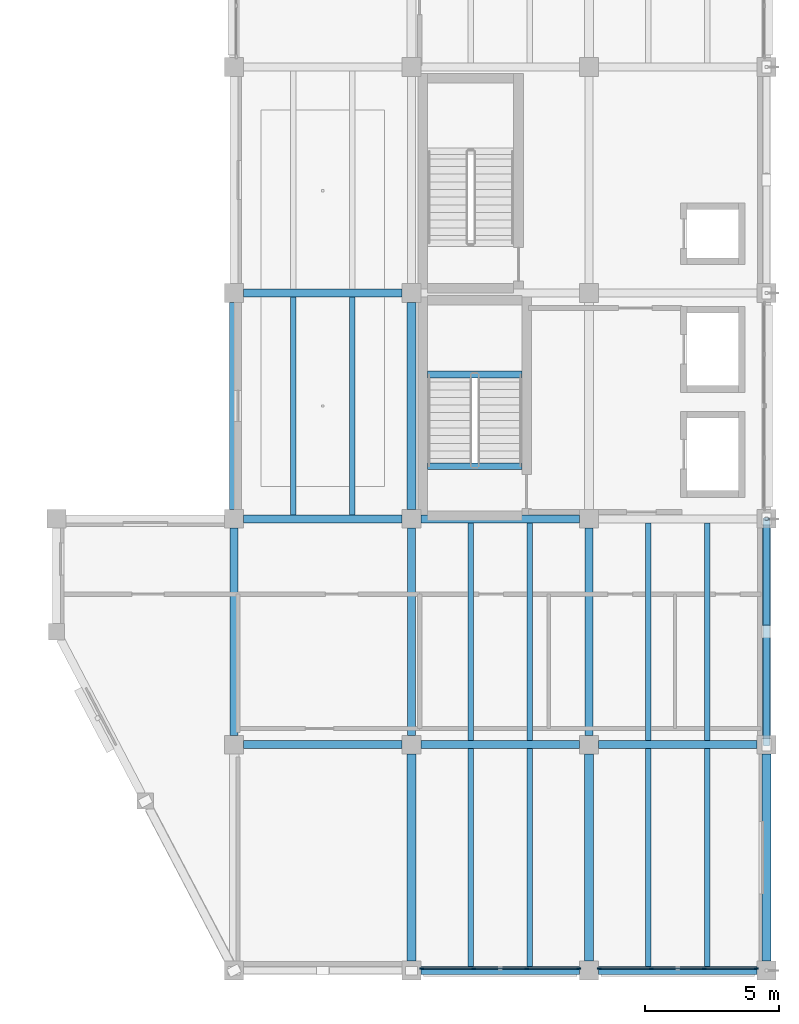
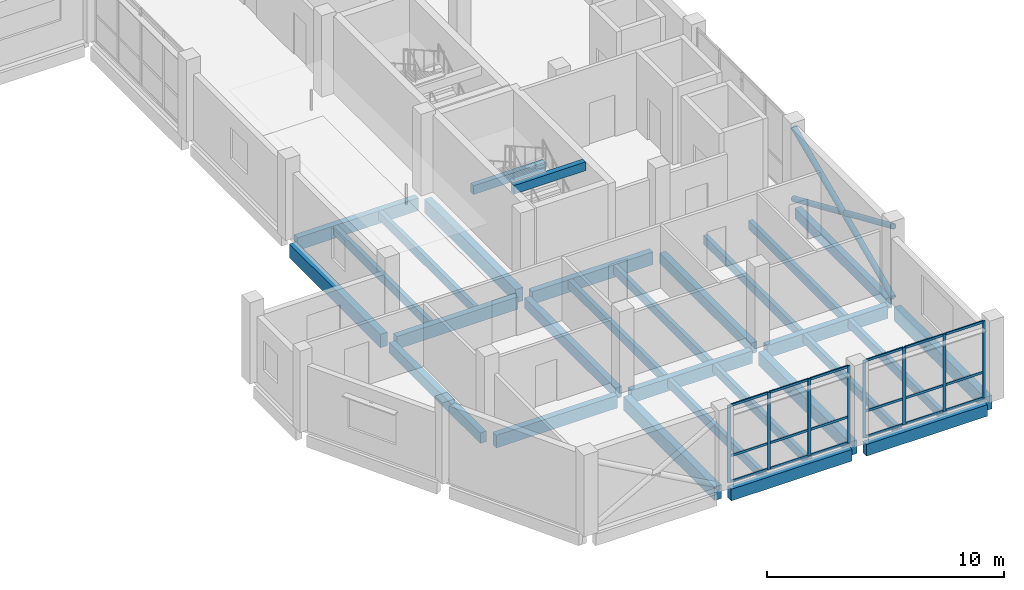
# One storey, part 2 of 19: 29 beams, 29 members, 2 elements without a shape of their own.
"""IFC4 building model written with IfcOpenShell, lengths in metres."""

from ifc_helpers import new_model, si_unit, direction, frame, origin, origin_2d, place, context, subcontext, project, spatial, rectangle, hollow_circle, extrude, material, material_profile, profile_set, type_object, element, aggregate, save


model = new_model("IFC4")

# Units and contexts
model_context = context("Model", 3, precision=1e-05, world=origin(), true_north=direction((0.0, 1.0)))
body_context = subcontext(model_context, "Body", "Model", "MODEL_VIEW")
ifc_project = project(units=[si_unit("LENGTHUNIT", "METRE"), si_unit("AREAUNIT", "SQUARE_METRE"), si_unit("VOLUMEUNIT", "CUBIC_METRE"), si_unit("PLANEANGLEUNIT", "RADIAN"), si_unit("MASSUNIT", "GRAM", prefix="KILO")], contexts=[model_context])

# Site, building, storey
site_placement = place(None, origin())
site = spatial("IfcSite", under=ifc_project, at=site_placement, CompositionType="ELEMENT")
building_placement = place(site_placement, origin())
building = spatial("IfcBuilding", under=site, at=building_placement, Name="Qaldarim Faculty of Natural and Applied Sciences", CompositionType="ELEMENT")
storey_placement = place(building_placement, frame((0.0, 0.0, 27.0)))
storey = spatial("IfcBuildingStorey", under=building, at=storey_placement, Name="L06", CompositionType="ELEMENT", Elevation=27.0)

# Beams
ifc_material_1 = material(Name="Concrete C40/50", Category="concrete")
ifc_material_profile_1 = material_profile(ifc_material_1, rectangle(XDim=0.300048828125, YDim=0.550048828125, at=origin_2d()), Name="RC-B300x550")
ifc_profile_set_1 = profile_set([ifc_material_profile_1], Name="Concrete C40/50")
beam_type_1 = type_object("IfcBeamType", Name="FloorBeam-RC300x550", PredefinedType="BEAM", material=ifc_profile_set_1)
for number, where, z_axis, x_axis, name in (
    (1, (158.39990234375, 8.75, -0.4951171875), (0.0, 1.0, 0.0), (-1.0, 0.0, 0.0), "Beam RC-B300x550 L05 X25/Y02-Y03"),
    (2, (165.0, 8.75, -0.4951171875), (0.0, 1.0, 0.0), (-1.0, 0.0, 0.0), "Beam RC-B300x550 L05 X26/Y02-Y03"),
    (3, (171.60009765625, 8.75, -0.4951171875), (0.0, 1.0, 0.0), (-1.0, 0.0, 0.0), "Beam RC-B300x550 L05 X27/Y02-Y03"),
    (4, (178.199951171875, 8.75, -0.4951171875), (0.0, 1.0, 0.0), (-1.0, 0.0, 0.0), "Beam RC-B300x550 L05 X28/Y02-Y03"),
):
    element("IfcBeam", number, at=place(storey_placement, frame(where, z_axis=z_axis, x_axis=x_axis)), inside=storey, type_object=beam_type_1, Name=name, PredefinedType="BEAM", context=body_context, shape_type="SweptSolid", body=[
        extrude(rectangle(XDim=0.300048828125, YDim=0.550048828125, at=origin_2d()), origin(), (0.0, 0.0, 1.0), 7.699951171875),
    ])
ifc_material_profile_2 = material_profile(ifc_material_1, rectangle(XDim=0.199951171875, YDim=0.449951171875, at=origin_2d()), Name="RC-J200x450")
ifc_profile_set_2 = profile_set([ifc_material_profile_2], Name="Concrete C40/50")
beam_type_2 = type_object("IfcBeamType", Name="LabJoist-RC200x450", PredefinedType="JOIST", material=ifc_profile_set_2)
for number, where, z_axis, x_axis, name in (
    (5, (160.60009765625, 16.949951171875, -0.445068359375), (0.0, 1.0, 0.0), (-1.0, 0.0, 0.0), "Laboratory joist L05 bay X25Y03-1"),
    (6, (162.800048828125, 16.949951171875, -0.445068359375), (0.0, 1.0, 0.0), (-1.0, 0.0, 0.0), "Laboratory joist L05 bay X25Y03-2"),
    (7, (167.199951171875, 0.14990234375, -0.445068359375), (0.0, 1.0, 0.0), (-1.0, 0.0, 0.0), "Laboratory joist L05 bay X26Y01-1"),
    (8, (169.39990234375, 0.14990234375, -0.445068359375), (0.0, 1.0, 0.0), (-1.0, 0.0, 0.0), "Laboratory joist L05 bay X26Y01-2"),
):
    element("IfcBeam", number, at=place(storey_placement, frame(where, z_axis=z_axis, x_axis=x_axis)), inside=storey, type_object=beam_type_2, Name=name, PredefinedType="JOIST", context=body_context, shape_type="SweptSolid", body=[
        extrude(rectangle(XDim=0.199951171875, YDim=0.449951171875, at=origin_2d()), origin(), (0.0, 0.0, 1.0), 8.10009765625),
    ])
for number, where, z_axis, x_axis, name in (
    (9, (167.199951171875, 8.550048828125, -0.445068359375), (0.0, 1.0, 0.0), (-1.0, 0.0, 0.0), "Laboratory joist L05 bay X26Y02-1"),
    (10, (169.39990234375, 8.550048828125, -0.445068359375), (0.0, 1.0, 0.0), (-1.0, 0.0, 0.0), "Laboratory joist L05 bay X26Y02-2"),
):
    element("IfcBeam", number, at=place(storey_placement, frame(where, z_axis=z_axis, x_axis=x_axis)), inside=storey, type_object=beam_type_2, Name=name, PredefinedType="JOIST", context=body_context, shape_type="SweptSolid", body=[
        extrude(rectangle(XDim=0.199951171875, YDim=0.449951171875, at=origin_2d()), origin(), (0.0, 0.0, 1.0), 8.099853515625),
    ])
for number, where, z_axis, x_axis, name in (
    (11, (173.800048828125, 0.14990234375, -0.445068359375), (0.0, 1.0, 0.0), (-1.0, 0.0, 0.0), "Laboratory joist L05 bay X27Y01-1"),
    (12, (176.0, 0.14990234375, -0.445068359375), (0.0, 1.0, 0.0), (-1.0, 0.0, 0.0), "Laboratory joist L05 bay X27Y01-2"),
):
    element("IfcBeam", number, at=place(storey_placement, frame(where, z_axis=z_axis, x_axis=x_axis)), inside=storey, type_object=beam_type_2, Name=name, PredefinedType="JOIST", context=body_context, shape_type="SweptSolid", body=[
        extrude(rectangle(XDim=0.199951171875, YDim=0.449951171875, at=origin_2d()), origin(), (0.0, 0.0, 1.0), 8.10009765625),
    ])
for number, where, z_axis, x_axis, name in (
    (13, (173.800048828125, 8.550048828125, -0.445068359375), (0.0, 1.0, 0.0), (-1.0, 0.0, 0.0), "Laboratory joist L05 bay X27Y02-1"),
    (14, (176.0, 8.550048828125, -0.445068359375), (0.0, 1.0, 0.0), (-1.0, 0.0, 0.0), "Laboratory joist L05 bay X27Y02-2"),
):
    element("IfcBeam", number, at=place(storey_placement, frame(where, z_axis=z_axis, x_axis=x_axis)), inside=storey, type_object=beam_type_2, Name=name, PredefinedType="JOIST", context=body_context, shape_type="SweptSolid", body=[
        extrude(rectangle(XDim=0.199951171875, YDim=0.449951171875, at=origin_2d()), origin(), (0.0, 0.0, 1.0), 8.099853515625),
    ])
ifc_material_profile_3 = material_profile(ifc_material_1, rectangle(XDim=0.25, YDim=0.449951171875, at=origin_2d()), Name="RC-LN250x450")
ifc_profile_set_3 = profile_set([ifc_material_profile_3], Name="Concrete C40/50")
beam_type_3 = type_object("IfcBeamType", Name="LandingSupportBeam-RC250x450", PredefinedType="BEAM", material=ifc_profile_set_3)
for number, where, z_axis, x_axis, name in (
    (15, (165.60009765625, 22.169921875, 1.6650390625), (1.0, 0.0, 0.0), (0.0, 1.0, 0.0), "Stair landing support beam ST-A1 L06"),
    (16, (165.60009765625, 18.75, 3.7548828125), (1.0, 0.0, 0.0), (0.0, 1.0, 0.0), "Stair arrival support beam ST-A1 L06"),
):
    element("IfcBeam", number, at=place(storey_placement, frame(where, z_axis=z_axis, x_axis=x_axis)), inside=storey, type_object=beam_type_3, Name=name, PredefinedType="BEAM", context=body_context, shape_type="SweptSolid", body=[
        extrude(rectangle(XDim=0.25, YDim=0.449951171875, at=origin_2d()), origin(), (0.0, 0.0, 1.0), 3.5),
    ])

# Curtain wall, members
ifc_material_2 = material(Name="Anodised aluminium AW-6063", Category="aluminium")
curtain_wall_type = type_object("IfcCurtainWallType", Name="CurtainWallSystem-M1800", PredefinedType="USERDEFINED", material=ifc_material_2)
curtain_wall_1_placement = place(storey_placement, origin())
curtain_wall_1 = element("IfcCurtainWall", 17, at=curtain_wall_1_placement, inside=storey, type_object=curtain_wall_type, Name="Curtain wall CW-L06-S-X26Y01", ObjectType="UNITISED FACADE", PredefinedType="USERDEFINED")
ifc_material_profile_4 = material_profile(ifc_material_2, rectangle(XDim=0.06005859375, YDim=0.14990234375, at=origin_2d()), Name="ALU-M60x150")
ifc_profile_set_4 = profile_set([ifc_material_profile_4], Name="Anodised aluminium AW-6063")
member_type_1 = type_object("IfcMemberType", Name="Mullion-ALU60x150", PredefinedType="MULLION", material=ifc_profile_set_4)
member_1_placement = place(storey_placement, frame((165.375, 0.080078125, 0.0), z_axis=(0.0, 0.0, 1.0), x_axis=(0.0, 1.0, 0.0)))
member_1 = element("IfcMember", 18, at=member_1_placement, type_object=member_type_1, Name="Mullion 1 of CW-L06-S-X26Y01", PredefinedType="MULLION", context=body_context, shape_type="SweptSolid", body=[
    extrude(rectangle(XDim=0.06005859375, YDim=0.14990234375, at=origin_2d()), origin(), (0.0, 0.0, 1.0), 3.97998046875),
])
member_2_placement = place(storey_placement, frame((167.31494140625, 0.080078125, 0.0), z_axis=(0.0, 0.0, 1.0), x_axis=(0.0, 1.0, 0.0)))
member_2 = element("IfcMember", 19, at=member_2_placement, type_object=member_type_1, Name="Mullion 2 of CW-L06-S-X26Y01", PredefinedType="MULLION", context=body_context, shape_type="SweptSolid", body=[
    extrude(rectangle(XDim=0.06005859375, YDim=0.14990234375, at=origin_2d()), origin(), (0.0, 0.0, 1.0), 3.97998046875),
])
member_3_placement = place(storey_placement, frame((169.284912109375, 0.080078125, 0.0), z_axis=(0.0, 0.0, 1.0), x_axis=(0.0, 1.0, 0.0)))
member_3 = element("IfcMember", 20, at=member_3_placement, type_object=member_type_1, Name="Mullion 3 of CW-L06-S-X26Y01", PredefinedType="MULLION", context=body_context, shape_type="SweptSolid", body=[
    extrude(rectangle(XDim=0.06005859375, YDim=0.14990234375, at=origin_2d()), origin(), (0.0, 0.0, 1.0), 3.97998046875),
])
member_4_placement = place(storey_placement, frame((171.22509765625, 0.080078125, 0.0), z_axis=(0.0, 0.0, 1.0), x_axis=(0.0, 1.0, 0.0)))
member_4 = element("IfcMember", 21, at=member_4_placement, type_object=member_type_1, Name="Mullion 4 of CW-L06-S-X26Y01", PredefinedType="MULLION", context=body_context, shape_type="SweptSolid", body=[
    extrude(rectangle(XDim=0.06005859375, YDim=0.14990234375, at=origin_2d()), origin(), (0.0, 0.0, 1.0), 3.97998046875),
])

curtain_wall_2_placement = place(storey_placement, origin())
curtain_wall_2 = element("IfcCurtainWall", 22, at=curtain_wall_2_placement, inside=storey, type_object=curtain_wall_type, Name="Curtain wall CW-L06-S-X27Y01", ObjectType="UNITISED FACADE", PredefinedType="USERDEFINED")
member_5_placement = place(storey_placement, frame((171.97509765625, 0.080078125, 0.0), z_axis=(0.0, 0.0, 1.0), x_axis=(0.0, 1.0, 0.0)))
member_5 = element("IfcMember", 23, at=member_5_placement, type_object=member_type_1, Name="Mullion 1 of CW-L06-S-X27Y01", PredefinedType="MULLION", context=body_context, shape_type="SweptSolid", body=[
    extrude(rectangle(XDim=0.06005859375, YDim=0.14990234375, at=origin_2d()), origin(), (0.0, 0.0, 1.0), 3.97998046875),
])
member_6_placement = place(storey_placement, frame((173.9150390625, 0.080078125, 0.0), z_axis=(0.0, 0.0, 1.0), x_axis=(0.0, 1.0, 0.0)))
member_6 = element("IfcMember", 24, at=member_6_placement, type_object=member_type_1, Name="Mullion 2 of CW-L06-S-X27Y01", PredefinedType="MULLION", context=body_context, shape_type="SweptSolid", body=[
    extrude(rectangle(XDim=0.06005859375, YDim=0.14990234375, at=origin_2d()), origin(), (0.0, 0.0, 1.0), 3.97998046875),
])
member_7_placement = place(storey_placement, frame((175.885009765625, 0.080078125, 0.0), z_axis=(0.0, 0.0, 1.0), x_axis=(0.0, 1.0, 0.0)))
member_7 = element("IfcMember", 25, at=member_7_placement, type_object=member_type_1, Name="Mullion 3 of CW-L06-S-X27Y01", PredefinedType="MULLION", context=body_context, shape_type="SweptSolid", body=[
    extrude(rectangle(XDim=0.06005859375, YDim=0.14990234375, at=origin_2d()), origin(), (0.0, 0.0, 1.0), 3.97998046875),
])
member_8_placement = place(storey_placement, frame((177.824951171875, 0.080078125, 0.0), z_axis=(0.0, 0.0, 1.0), x_axis=(0.0, 1.0, 0.0)))
member_8 = element("IfcMember", 26, at=member_8_placement, type_object=member_type_1, Name="Mullion 4 of CW-L06-S-X27Y01", PredefinedType="MULLION", context=body_context, shape_type="SweptSolid", body=[
    extrude(rectangle(XDim=0.06005859375, YDim=0.14990234375, at=origin_2d()), origin(), (0.0, 0.0, 1.0), 3.97998046875),
])

# Members
ifc_material_3 = material(Name="Structural steel S355", Category="steel")
ifc_material_profile_5 = material_profile(ifc_material_3, hollow_circle(Radius=0.136474609375, WallThickness=0.01611328125, at=origin_2d()), Name="CHS 273.0x16.0")
ifc_profile_set_5 = profile_set([ifc_material_profile_5], Name="Structural steel S355")
member_type_2 = type_object("IfcMemberType", Name="PortalBrace-CHS273x16", PredefinedType="BRACE", material=ifc_profile_set_5)
member_9_placement = place(storey_placement, frame((178.199951171875, 8.39990234375, 0.0), z_axis=(0.0, 0.915962323067, 0.401264280396), x_axis=(-1.0, 0.0, 0.0)))
element("IfcMember", 27, at=member_9_placement, inside=storey, type_object=member_type_2, Name="East diagrid L06 primary brace L", PredefinedType="BRACE", context=body_context, shape_type="SweptSolid", body=[
    extrude(hollow_circle(Radius=0.136474609375, WallThickness=0.01611328125, at=origin_2d()), origin(), (0.0, 0.0, 1.0), 9.1708984375),
])
for number, where, z_axis, x_axis, name in (
    (28, (178.199951171875, 16.800048828125, 0.0), (0.0, -0.916157334902, 0.40081883402), (1.0, 0.0, 0.0), "East diagrid L06 split secondary lower brace R1"),
    (29, (178.199951171875, 12.39990234375, 1.929931640625), (0.0, -0.916157334902, 0.40081883402), (1.0, 0.0, 0.0), "East diagrid L06 split secondary upper brace R2"),
):
    element("IfcMember", number, at=place(storey_placement, frame(where, z_axis=z_axis, x_axis=x_axis)), inside=storey, type_object=member_type_2, Name=name, PredefinedType="BRACE", context=body_context, shape_type="SweptSolid", body=[
        extrude(hollow_circle(Radius=0.136474609375, WallThickness=0.01611328125, at=origin_2d()), origin(), (0.0, 0.0, 1.0), 4.365966796875),
    ])

# Beams
ifc_material_profile_6 = material_profile(ifc_material_1, rectangle(XDim=0.300048828125, YDim=0.64990234375, at=origin_2d()), Name="RC-B300x650")
ifc_profile_set_6 = profile_set([ifc_material_profile_6], Name="Concrete C40/50")
beam_type_4 = type_object("IfcBeamType", Name="PrimaryBeam-RC300x650", PredefinedType="BEAM", material=ifc_profile_set_6)
for number, where, z_axis, x_axis, name in (
    (30, (158.75, 8.39990234375, -0.544921875), (1.0, 0.0, 0.0), (0.0, 1.0, 0.0), "Beam RC-B300x650 L05 X25-X26/Y02"),
    (31, (165.35009765625, 8.39990234375, -0.544921875), (1.0, 0.0, 0.0), (0.0, 1.0, 0.0), "Beam RC-B300x650 L05 X26-X27/Y02"),
):
    element("IfcBeam", number, at=place(storey_placement, frame(where, z_axis=z_axis, x_axis=x_axis)), inside=storey, type_object=beam_type_4, Name=name, PredefinedType="BEAM", context=body_context, shape_type="SweptSolid", body=[
        extrude(rectangle(XDim=0.300048828125, YDim=0.64990234375, at=origin_2d()), origin(), (0.0, 0.0, 1.0), 5.89990234375),
    ])
beam_1_placement = place(storey_placement, frame((171.949951171875, 8.39990234375, -0.544921875), z_axis=(1.0, 0.0, 0.0), x_axis=(0.0, 1.0, 0.0)))
element("IfcBeam", 32, at=beam_1_placement, inside=storey, type_object=beam_type_4, Name="Beam RC-B300x650 L05 X27-X28/Y02", PredefinedType="BEAM", context=body_context, shape_type="SweptSolid", body=[
    extrude(rectangle(XDim=0.300048828125, YDim=0.64990234375, at=origin_2d()), origin(), (0.0, 0.0, 1.0), 5.900146484375),
])
for number, where, z_axis, x_axis, name in (
    (33, (158.75, 16.800048828125, -0.544921875), (1.0, 0.0, 0.0), (0.0, 1.0, 0.0), "Beam RC-B300x650 L05 X25-X26/Y03"),
    (34, (165.35009765625, 16.800048828125, -0.544921875), (1.0, 0.0, 0.0), (0.0, 1.0, 0.0), "Beam RC-B300x650 L05 X26-X27/Y03"),
    (35, (158.75, 25.199951171875, -0.544921875), (1.0, 0.0, 0.0), (0.0, 1.0, 0.0), "Beam RC-B300x650 L05 X25-X26/Y04"),
):
    element("IfcBeam", number, at=place(storey_placement, frame(where, z_axis=z_axis, x_axis=x_axis)), inside=storey, type_object=beam_type_4, Name=name, PredefinedType="BEAM", context=body_context, shape_type="SweptSolid", body=[
        extrude(rectangle(XDim=0.300048828125, YDim=0.64990234375, at=origin_2d()), origin(), (0.0, 0.0, 1.0), 5.89990234375),
    ])
ifc_material_profile_7 = material_profile(ifc_material_1, rectangle(XDim=0.35009765625, YDim=0.699951171875, at=origin_2d()), Name="RC-B350x700")
ifc_profile_set_7 = profile_set([ifc_material_profile_7], Name="Concrete C40/50")
beam_type_5 = type_object("IfcBeamType", Name="PrimaryGirder-RC350x700", PredefinedType="BEAM", material=ifc_profile_set_7)
beam_2_placement = place(storey_placement, frame((158.39990234375, 17.14990234375, -0.570068359375), z_axis=(0.0, 1.0, 0.0), x_axis=(-1.0, 0.0, 0.0)))
element("IfcBeam", 36, at=beam_2_placement, inside=storey, type_object=beam_type_5, Name="Beam RC-B350x700 L05 X25/Y03-Y04", PredefinedType="BEAM", context=body_context, shape_type="SweptSolid", body=[
    extrude(rectangle(XDim=0.35009765625, YDim=0.699951171875, at=origin_2d()), origin(), (0.0, 0.0, 1.0), 7.7001953125),
])
beam_3_placement = place(storey_placement, frame((165.0, 0.35009765625, -0.570068359375), z_axis=(0.0, 1.0, 0.0), x_axis=(-1.0, 0.0, 0.0)))
element("IfcBeam", 37, at=beam_3_placement, inside=storey, type_object=beam_type_5, Name="Beam RC-B350x700 L05 X26/Y01-Y02", PredefinedType="BEAM", context=body_context, shape_type="SweptSolid", body=[
    extrude(rectangle(XDim=0.35009765625, YDim=0.699951171875, at=origin_2d()), origin(), (0.0, 0.0, 1.0), 7.699951171875),
])
beam_4_placement = place(storey_placement, frame((165.0, 17.14990234375, -0.570068359375), z_axis=(0.0, 1.0, 0.0), x_axis=(-1.0, 0.0, 0.0)))
element("IfcBeam", 38, at=beam_4_placement, inside=storey, type_object=beam_type_5, Name="Beam RC-B350x700 L05 X26/Y03-Y04", PredefinedType="BEAM", context=body_context, shape_type="SweptSolid", body=[
    extrude(rectangle(XDim=0.35009765625, YDim=0.699951171875, at=origin_2d()), origin(), (0.0, 0.0, 1.0), 7.7001953125),
])
for number, where, z_axis, x_axis, name in (
    (39, (171.60009765625, 0.35009765625, -0.570068359375), (0.0, 1.0, 0.0), (-1.0, 0.0, 0.0), "Beam RC-B350x700 L05 X27/Y01-Y02"),
    (40, (178.199951171875, 0.35009765625, -0.570068359375), (0.0, 1.0, 0.0), (-1.0, 0.0, 0.0), "Beam RC-B350x700 L05 X28/Y01-Y02"),
):
    element("IfcBeam", number, at=place(storey_placement, frame(where, z_axis=z_axis, x_axis=x_axis)), inside=storey, type_object=beam_type_5, Name=name, PredefinedType="BEAM", context=body_context, shape_type="SweptSolid", body=[
        extrude(rectangle(XDim=0.35009765625, YDim=0.699951171875, at=origin_2d()), origin(), (0.0, 0.0, 1.0), 7.699951171875),
    ])
ifc_material_4 = material(Name="Precast concrete C40/50", Category="concrete")
ifc_material_profile_8 = material_profile(ifc_material_4, rectangle(XDim=0.300048828125, YDim=0.60009765625, at=origin_2d()), Name="RC-SP300x600")
ifc_profile_set_8 = profile_set([ifc_material_profile_8], Name="Precast concrete C40/50")
beam_type_6 = type_object("IfcBeamType", Name="SpandrelBeam-RC300x600", PredefinedType="SPANDREL", material=ifc_profile_set_8)
beam_5_placement = place(storey_placement, frame((165.35009765625, 0.0, -0.52001953125), z_axis=(1.0, 0.0, 0.0), x_axis=(0.0, 1.0, 0.0)))
element("IfcBeam", 41, at=beam_5_placement, inside=storey, type_object=beam_type_6, Name="Beam RC-SP300x600 L05 X26-X27/Y01", PredefinedType="SPANDREL", context=body_context, shape_type="SweptSolid", body=[
    extrude(rectangle(XDim=0.300048828125, YDim=0.60009765625, at=origin_2d()), origin(), (0.0, 0.0, 1.0), 5.89990234375),
])
beam_6_placement = place(storey_placement, frame((171.949951171875, 0.0, -0.52001953125), z_axis=(1.0, 0.0, 0.0), x_axis=(0.0, 1.0, 0.0)))
element("IfcBeam", 42, at=beam_6_placement, inside=storey, type_object=beam_type_6, Name="Beam RC-SP300x600 L05 X27-X28/Y01", PredefinedType="SPANDREL", context=body_context, shape_type="SweptSolid", body=[
    extrude(rectangle(XDim=0.300048828125, YDim=0.60009765625, at=origin_2d()), origin(), (0.0, 0.0, 1.0), 5.900146484375),
])

# Member
ifc_material_profile_9 = material_profile(ifc_material_2, rectangle(XDim=0.06005859375, YDim=0.1201171875, at=origin_2d()), Name="ALU-T60x120")
ifc_profile_set_9 = profile_set([ifc_material_profile_9], Name="Anodised aluminium AW-6063")
member_type_3 = type_object("IfcMemberType", Name="Transom-ALU60x120", PredefinedType="USERDEFINED", material=ifc_profile_set_9)
member_10_placement = place(storey_placement, frame((165.405029296875, 0.080078125, 0.030029296875), z_axis=(1.0, 0.0, 0.0), x_axis=(0.0, 1.0, 0.0)))
member_10 = element("IfcMember", 43, at=member_10_placement, type_object=member_type_3, Name="Transom 1-1 of CW-L06-S-X26Y01", ObjectType="TRANSOM", PredefinedType="USERDEFINED", context=body_context, shape_type="SweptSolid", body=[
    extrude(rectangle(XDim=0.06005859375, YDim=0.1201171875, at=origin_2d()), origin(), (0.0, 0.0, 1.0), 1.8798828125),
])

member_11_placement = place(storey_placement, frame((165.405029296875, 0.080078125, 1.35009765625), z_axis=(1.0, 0.0, 0.0), x_axis=(0.0, 1.0, 0.0)))
member_11 = element("IfcMember", 44, at=member_11_placement, type_object=member_type_3, Name="Transom 1-2 of CW-L06-S-X26Y01", ObjectType="TRANSOM", PredefinedType="USERDEFINED", context=body_context, shape_type="SweptSolid", body=[
    extrude(rectangle(XDim=0.06005859375, YDim=0.1201171875, at=origin_2d()), origin(), (0.0, 0.0, 1.0), 1.8798828125),
])

member_12_placement = place(storey_placement, frame((165.405029296875, 0.080078125, 3.949951171875), z_axis=(1.0, 0.0, 0.0), x_axis=(0.0, 1.0, 0.0)))
member_12 = element("IfcMember", 45, at=member_12_placement, type_object=member_type_3, Name="Transom 1-3 of CW-L06-S-X26Y01", ObjectType="TRANSOM", PredefinedType="USERDEFINED", context=body_context, shape_type="SweptSolid", body=[
    extrude(rectangle(XDim=0.06005859375, YDim=0.1201171875, at=origin_2d()), origin(), (0.0, 0.0, 1.0), 1.8798828125),
])

member_13_placement = place(storey_placement, frame((167.344970703125, 0.080078125, 0.030029296875), z_axis=(1.0, 0.0, 0.0), x_axis=(0.0, 1.0, 0.0)))
member_13 = element("IfcMember", 46, at=member_13_placement, type_object=member_type_3, Name="Transom 2-1 of CW-L06-S-X26Y01", ObjectType="TRANSOM", PredefinedType="USERDEFINED", context=body_context, shape_type="SweptSolid", body=[
    extrude(rectangle(XDim=0.06005859375, YDim=0.1201171875, at=origin_2d()), origin(), (0.0, 0.0, 1.0), 1.909912109375),
])

member_14_placement = place(storey_placement, frame((167.344970703125, 0.080078125, 1.35009765625), z_axis=(1.0, 0.0, 0.0), x_axis=(0.0, 1.0, 0.0)))
member_14 = element("IfcMember", 47, at=member_14_placement, type_object=member_type_3, Name="Transom 2-2 of CW-L06-S-X26Y01", ObjectType="TRANSOM", PredefinedType="USERDEFINED", context=body_context, shape_type="SweptSolid", body=[
    extrude(rectangle(XDim=0.06005859375, YDim=0.1201171875, at=origin_2d()), origin(), (0.0, 0.0, 1.0), 1.909912109375),
])

member_15_placement = place(storey_placement, frame((167.344970703125, 0.080078125, 3.949951171875), z_axis=(1.0, 0.0, 0.0), x_axis=(0.0, 1.0, 0.0)))
member_15 = element("IfcMember", 48, at=member_15_placement, type_object=member_type_3, Name="Transom 2-3 of CW-L06-S-X26Y01", ObjectType="TRANSOM", PredefinedType="USERDEFINED", context=body_context, shape_type="SweptSolid", body=[
    extrude(rectangle(XDim=0.06005859375, YDim=0.1201171875, at=origin_2d()), origin(), (0.0, 0.0, 1.0), 1.909912109375),
])

member_16_placement = place(storey_placement, frame((169.31494140625, 0.080078125, 0.030029296875), z_axis=(1.0, 0.0, 0.0), x_axis=(0.0, 1.0, 0.0)))
member_16 = element("IfcMember", 49, at=member_16_placement, type_object=member_type_3, Name="Transom 3-1 of CW-L06-S-X26Y01", ObjectType="TRANSOM", PredefinedType="USERDEFINED", context=body_context, shape_type="SweptSolid", body=[
    extrude(rectangle(XDim=0.06005859375, YDim=0.1201171875, at=origin_2d()), origin(), (0.0, 0.0, 1.0), 1.880126953125),
])

member_17_placement = place(storey_placement, frame((169.31494140625, 0.080078125, 1.35009765625), z_axis=(1.0, 0.0, 0.0), x_axis=(0.0, 1.0, 0.0)))
member_17 = element("IfcMember", 50, at=member_17_placement, type_object=member_type_3, Name="Transom 3-2 of CW-L06-S-X26Y01", ObjectType="TRANSOM", PredefinedType="USERDEFINED", context=body_context, shape_type="SweptSolid", body=[
    extrude(rectangle(XDim=0.06005859375, YDim=0.1201171875, at=origin_2d()), origin(), (0.0, 0.0, 1.0), 1.880126953125),
])

member_18_placement = place(storey_placement, frame((169.31494140625, 0.080078125, 3.949951171875), z_axis=(1.0, 0.0, 0.0), x_axis=(0.0, 1.0, 0.0)))
member_18 = element("IfcMember", 51, at=member_18_placement, type_object=member_type_3, Name="Transom 3-3 of CW-L06-S-X26Y01", ObjectType="TRANSOM", PredefinedType="USERDEFINED", context=body_context, shape_type="SweptSolid", body=[
    extrude(rectangle(XDim=0.06005859375, YDim=0.1201171875, at=origin_2d()), origin(), (0.0, 0.0, 1.0), 1.880126953125),
])

aggregate(curtain_wall_1, [member_1, member_2, member_3, member_4, member_10, member_11, member_12, member_13, member_14, member_15, member_16, member_17, member_18])

member_19_placement = place(storey_placement, frame((172.0048828125, 0.080078125, 0.030029296875), z_axis=(1.0, 0.0, 0.0), x_axis=(0.0, 1.0, 0.0)))
member_19 = element("IfcMember", 52, at=member_19_placement, type_object=member_type_3, Name="Transom 1-1 of CW-L06-S-X27Y01", ObjectType="TRANSOM", PredefinedType="USERDEFINED", context=body_context, shape_type="SweptSolid", body=[
    extrude(rectangle(XDim=0.06005859375, YDim=0.1201171875, at=origin_2d()), origin(), (0.0, 0.0, 1.0), 1.880126953125),
])

member_20_placement = place(storey_placement, frame((172.0048828125, 0.080078125, 1.35009765625), z_axis=(1.0, 0.0, 0.0), x_axis=(0.0, 1.0, 0.0)))
member_20 = element("IfcMember", 53, at=member_20_placement, type_object=member_type_3, Name="Transom 1-2 of CW-L06-S-X27Y01", ObjectType="TRANSOM", PredefinedType="USERDEFINED", context=body_context, shape_type="SweptSolid", body=[
    extrude(rectangle(XDim=0.06005859375, YDim=0.1201171875, at=origin_2d()), origin(), (0.0, 0.0, 1.0), 1.880126953125),
])

member_21_placement = place(storey_placement, frame((172.0048828125, 0.080078125, 3.949951171875), z_axis=(1.0, 0.0, 0.0), x_axis=(0.0, 1.0, 0.0)))
member_21 = element("IfcMember", 54, at=member_21_placement, type_object=member_type_3, Name="Transom 1-3 of CW-L06-S-X27Y01", ObjectType="TRANSOM", PredefinedType="USERDEFINED", context=body_context, shape_type="SweptSolid", body=[
    extrude(rectangle(XDim=0.06005859375, YDim=0.1201171875, at=origin_2d()), origin(), (0.0, 0.0, 1.0), 1.880126953125),
])

member_22_placement = place(storey_placement, frame((173.945068359375, 0.080078125, 0.030029296875), z_axis=(1.0, 0.0, 0.0), x_axis=(0.0, 1.0, 0.0)))
member_22 = element("IfcMember", 55, at=member_22_placement, type_object=member_type_3, Name="Transom 2-1 of CW-L06-S-X27Y01", ObjectType="TRANSOM", PredefinedType="USERDEFINED", context=body_context, shape_type="SweptSolid", body=[
    extrude(rectangle(XDim=0.06005859375, YDim=0.1201171875, at=origin_2d()), origin(), (0.0, 0.0, 1.0), 1.909912109375),
])

member_23_placement = place(storey_placement, frame((173.945068359375, 0.080078125, 1.35009765625), z_axis=(1.0, 0.0, 0.0), x_axis=(0.0, 1.0, 0.0)))
member_23 = element("IfcMember", 56, at=member_23_placement, type_object=member_type_3, Name="Transom 2-2 of CW-L06-S-X27Y01", ObjectType="TRANSOM", PredefinedType="USERDEFINED", context=body_context, shape_type="SweptSolid", body=[
    extrude(rectangle(XDim=0.06005859375, YDim=0.1201171875, at=origin_2d()), origin(), (0.0, 0.0, 1.0), 1.909912109375),
])

member_24_placement = place(storey_placement, frame((173.945068359375, 0.080078125, 3.949951171875), z_axis=(1.0, 0.0, 0.0), x_axis=(0.0, 1.0, 0.0)))
member_24 = element("IfcMember", 57, at=member_24_placement, type_object=member_type_3, Name="Transom 2-3 of CW-L06-S-X27Y01", ObjectType="TRANSOM", PredefinedType="USERDEFINED", context=body_context, shape_type="SweptSolid", body=[
    extrude(rectangle(XDim=0.06005859375, YDim=0.1201171875, at=origin_2d()), origin(), (0.0, 0.0, 1.0), 1.909912109375),
])

member_25_placement = place(storey_placement, frame((175.9150390625, 0.080078125, 0.030029296875), z_axis=(1.0, 0.0, 0.0), x_axis=(0.0, 1.0, 0.0)))
member_25 = element("IfcMember", 58, at=member_25_placement, type_object=member_type_3, Name="Transom 3-1 of CW-L06-S-X27Y01", ObjectType="TRANSOM", PredefinedType="USERDEFINED", context=body_context, shape_type="SweptSolid", body=[
    extrude(rectangle(XDim=0.06005859375, YDim=0.1201171875, at=origin_2d()), origin(), (0.0, 0.0, 1.0), 1.8798828125),
])

member_26_placement = place(storey_placement, frame((175.9150390625, 0.080078125, 1.35009765625), z_axis=(1.0, 0.0, 0.0), x_axis=(0.0, 1.0, 0.0)))
member_26 = element("IfcMember", 59, at=member_26_placement, type_object=member_type_3, Name="Transom 3-2 of CW-L06-S-X27Y01", ObjectType="TRANSOM", PredefinedType="USERDEFINED", context=body_context, shape_type="SweptSolid", body=[
    extrude(rectangle(XDim=0.06005859375, YDim=0.1201171875, at=origin_2d()), origin(), (0.0, 0.0, 1.0), 1.8798828125),
])

member_27_placement = place(storey_placement, frame((175.9150390625, 0.080078125, 3.949951171875), z_axis=(1.0, 0.0, 0.0), x_axis=(0.0, 1.0, 0.0)))
member_27 = element("IfcMember", 60, at=member_27_placement, type_object=member_type_3, Name="Transom 3-3 of CW-L06-S-X27Y01", ObjectType="TRANSOM", PredefinedType="USERDEFINED", context=body_context, shape_type="SweptSolid", body=[
    extrude(rectangle(XDim=0.06005859375, YDim=0.1201171875, at=origin_2d()), origin(), (0.0, 0.0, 1.0), 1.8798828125),
])

aggregate(curtain_wall_2, [member_5, member_6, member_7, member_8, member_19, member_20, member_21, member_22, member_23, member_24, member_25, member_26, member_27])

save(model, "model.ifc")
